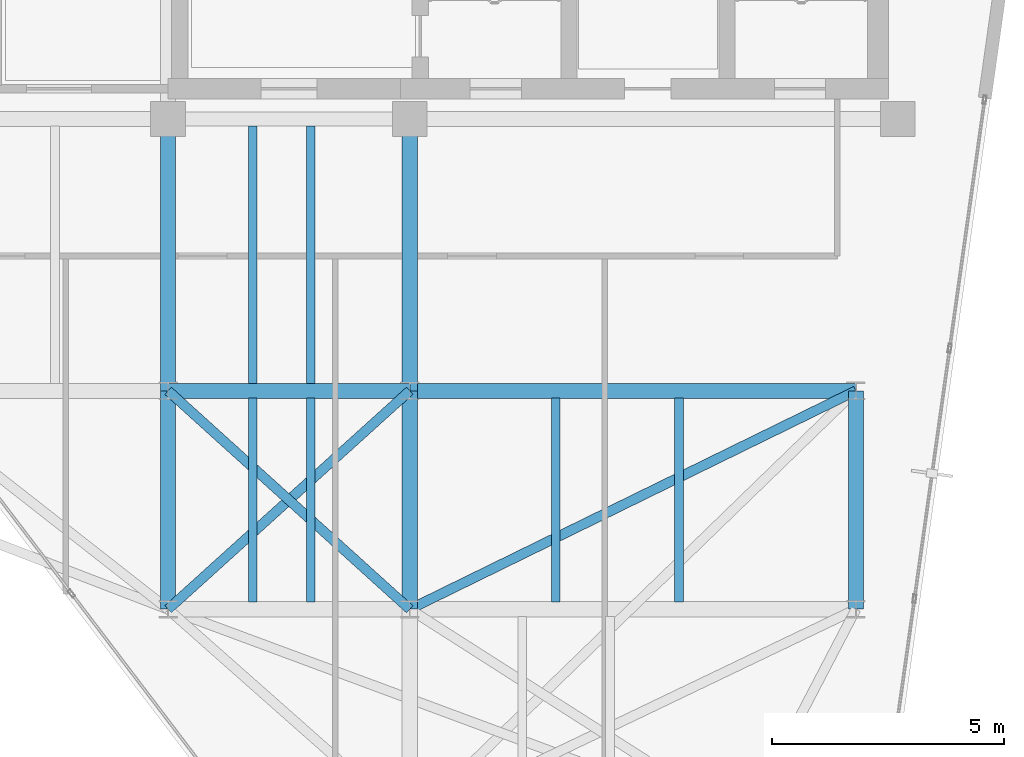
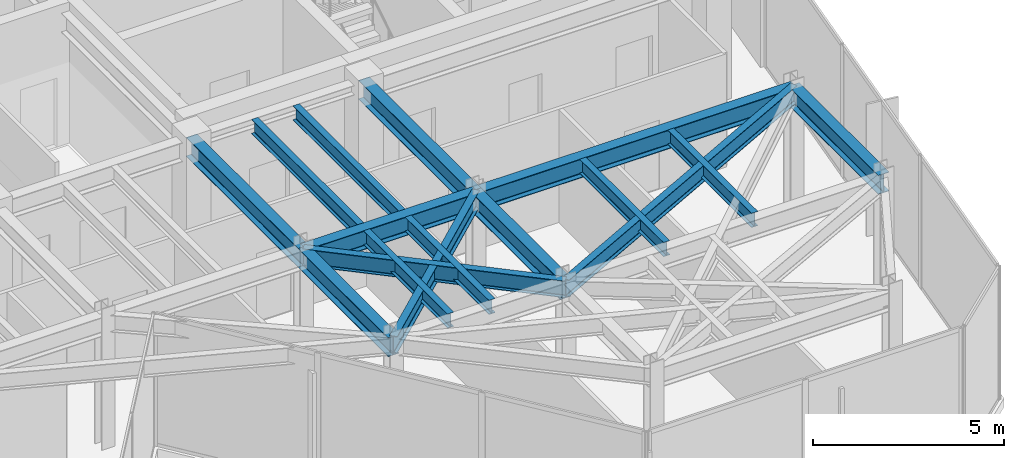
# One storey, part 9 of 17: 16 beams.
"""IFC4 building model written with IfcOpenShell, lengths in metres."""

from ifc_helpers import new_model, si_unit, direction, frame, origin, origin_2d, place, context, subcontext, project, spatial, i_section, extrude, material, material_profile, profile_set, type_object, element, save


model = new_model("IFC4")

# Units and contexts
model_context = context("Model", 3, precision=1e-05, world=origin(), true_north=direction((0.0, 1.0)))
body_context = subcontext(model_context, "Body", "Model", "MODEL_VIEW")
ifc_project = project(units=[si_unit("LENGTHUNIT", "METRE"), si_unit("AREAUNIT", "SQUARE_METRE"), si_unit("VOLUMEUNIT", "CUBIC_METRE"), si_unit("PLANEANGLEUNIT", "RADIAN"), si_unit("MASSUNIT", "GRAM", prefix="KILO")], contexts=[model_context])

# Site, building, storey
site_placement = place(None, origin())
site = spatial("IfcSite", under=ifc_project, at=site_placement, CompositionType="ELEMENT")
building_placement = place(site_placement, origin())
building = spatial("IfcBuilding", under=site, at=building_placement, Name="Kravanh Interchange Tower", CompositionType="ELEMENT")
storey_placement = place(building_placement, frame((0.0, 0.0, 311.10009765625)))
storey = spatial("IfcBuildingStorey", under=building, at=storey_placement, Name="L77", CompositionType="ELEMENT", Elevation=311.10009765625)

# Beams
ifc_material_1 = material(Name="Structural Steel S355", Category="steel")
ifc_material_profile_1 = material_profile(ifc_material_1, i_section(OverallWidth=0.323974609375, OverallDepth=0.611083984375, WebThickness=0.0126953125, FlangeThickness=0.01904296875, FilletRadius=0.02197265625, at=origin_2d()), Name="W24X104")
ifc_profile_set_1 = profile_set([ifc_material_profile_1], Name="Structural Steel S355")
beam_type_1 = type_object("IfcBeamType", Name="Floor Beam W24X104 Structural Steel S355", PredefinedType="BEAM", material=ifc_profile_set_1)
beam_1_placement = place(storey_placement, frame((50.800048828125, 31.5, 3.914306640625), z_axis=(0.0, -1.0, 0.0), x_axis=(1.0, 0.0, 0.0)))
element("IfcBeam", 1, at=beam_1_placement, inside=storey, type_object=beam_type_1, Name="L77 Primary Floor Girder 5", PredefinedType="BEAM", context=body_context, shape_type="SweptSolid", body=[
    extrude(i_section(OverallWidth=0.323974609375, OverallDepth=0.611083984375, WebThickness=0.0126953125, FlangeThickness=0.01904296875, FilletRadius=0.02197265625, at=origin_2d()), origin(), (0.0, 0.0, 1.0), 4.699951171875),
])
beam_2_placement = place(storey_placement, frame((50.800048828125, 31.5, 3.914306640625), z_axis=(1.0, 0.0, 0.0), x_axis=(0.0, 1.0, 0.0)))
element("IfcBeam", 2, at=beam_2_placement, inside=storey, type_object=beam_type_1, Name="L77 Primary Floor Girder 6", PredefinedType="BEAM", context=body_context, shape_type="SweptSolid", body=[
    extrude(i_section(OverallWidth=0.323974609375, OverallDepth=0.611083984375, WebThickness=0.0126953125, FlangeThickness=0.01904296875, FilletRadius=0.02197265625, at=origin_2d()), origin(), (0.0, 0.0, 1.0), 5.199951171875),
])
beam_3_placement = place(storey_placement, frame((50.800048828125, 31.5, 3.914306640625), z_axis=(0.0, 1.0, 0.0), x_axis=(-1.0, 0.0, 0.0)))
element("IfcBeam", 3, at=beam_3_placement, inside=storey, type_object=beam_type_1, Name="L77 Primary Floor Girder 7", PredefinedType="BEAM", context=body_context, shape_type="SweptSolid", body=[
    extrude(i_section(OverallWidth=0.323974609375, OverallDepth=0.611083984375, WebThickness=0.0126953125, FlangeThickness=0.01904296875, FilletRadius=0.02197265625, at=origin_2d()), origin(), (0.0, 0.0, 1.0), 5.85009765625),
])
beam_4_placement = place(storey_placement, frame((56.0, 31.5, 3.914306640625), z_axis=(0.0, -1.0, 0.0), x_axis=(1.0, 0.0, 0.0)))
element("IfcBeam", 4, at=beam_4_placement, inside=storey, type_object=beam_type_1, Name="L77 Primary Floor Girder 9", PredefinedType="BEAM", context=body_context, shape_type="SweptSolid", body=[
    extrude(i_section(OverallWidth=0.323974609375, OverallDepth=0.611083984375, WebThickness=0.0126953125, FlangeThickness=0.01904296875, FilletRadius=0.02197265625, at=origin_2d()), origin(), (0.0, 0.0, 1.0), 4.699951171875),
])
beam_5_placement = place(storey_placement, frame((56.0, 31.5, 3.914306640625), z_axis=(0.0, 1.0, 0.0), x_axis=(-1.0, 0.0, 0.0)))
element("IfcBeam", 5, at=beam_5_placement, inside=storey, type_object=beam_type_1, Name="L77 Primary Floor Girder 10", PredefinedType="BEAM", context=body_context, shape_type="SweptSolid", body=[
    extrude(i_section(OverallWidth=0.323974609375, OverallDepth=0.611083984375, WebThickness=0.0126953125, FlangeThickness=0.01904296875, FilletRadius=0.02197265625, at=origin_2d()), origin(), (0.0, 0.0, 1.0), 5.85009765625),
])
beam_6_placement = place(storey_placement, frame((56.0, 31.5, 3.914306640625), z_axis=(1.0, 0.0, 0.0), x_axis=(0.0, 1.0, 0.0)))
element("IfcBeam", 6, at=beam_6_placement, inside=storey, type_object=beam_type_1, Name="L77 Primary Floor Girder 12", PredefinedType="BEAM", context=body_context, shape_type="SweptSolid", body=[
    extrude(i_section(OverallWidth=0.323974609375, OverallDepth=0.611083984375, WebThickness=0.0126953125, FlangeThickness=0.01904296875, FilletRadius=0.02197265625, at=origin_2d()), origin(), (0.0, 0.0, 1.0), 9.60009765625),
])
beam_7_placement = place(storey_placement, frame((65.60009765625, 31.5, 3.914306640625), z_axis=(0.0, -1.0, 0.0), x_axis=(1.0, 0.0, 0.0)))
element("IfcBeam", 7, at=beam_7_placement, inside=storey, type_object=beam_type_1, Name="L77 Primary Floor Girder 13", PredefinedType="BEAM", context=body_context, shape_type="SweptSolid", body=[
    extrude(i_section(OverallWidth=0.323974609375, OverallDepth=0.611083984375, WebThickness=0.0126953125, FlangeThickness=0.01904296875, FilletRadius=0.02197265625, at=origin_2d()), origin(), (0.0, 0.0, 1.0), 4.699951171875),
])
ifc_material_2 = material(Name="Structural Steel S355", Category="steel")
ifc_material_profile_2 = material_profile(ifc_material_2, i_section(OverallWidth=0.18994140625, OverallDepth=0.45703125, WebThickness=0.009033203125, FlangeThickness=0.014404296875, FilletRadius=0.01806640625, at=origin_2d()), Name="W18X50")
ifc_profile_set_2 = profile_set([ifc_material_profile_2], Name="Structural Steel S355")
beam_type_2 = type_object("IfcBeamType", Name="Floor Joist W18X50 Structural Steel S355", PredefinedType="JOIST", material=ifc_profile_set_2)
for number, where, z_axis, x_axis, name in (
    (8, (52.6201171875, 26.95703125, 3.991455078125), (0.0, 1.0, 0.0), (-1.0, 0.0, 0.0), "L77 Secondary Floor Joist 3"),
    (9, (53.867919921875, 26.95703125, 3.991455078125), (0.0, 1.0, 0.0), (-1.0, 0.0, 0.0), "L77 Secondary Floor Joist 4"),
    (10, (59.139892578125, 26.95703125, 3.991455078125), (0.0, 1.0, 0.0), (-1.0, 0.0, 0.0), "L77 Secondary Floor Joist 5"),
    (11, (61.7958984375, 26.95703125, 3.991455078125), (0.0, 1.0, 0.0), (-1.0, 0.0, 0.0), "L77 Secondary Floor Joist 6"),
):
    element("IfcBeam", number, at=place(storey_placement, frame(where, z_axis=z_axis, x_axis=x_axis)), inside=storey, type_object=beam_type_2, Name=name, PredefinedType="JOIST", context=body_context, shape_type="SweptSolid", body=[
        extrude(i_section(OverallWidth=0.18994140625, OverallDepth=0.45703125, WebThickness=0.009033203125, FlangeThickness=0.014404296875, FilletRadius=0.01806640625, at=origin_2d()), origin(), (0.0, 0.0, 1.0), 4.385986328125),
    ])
for number, where, z_axis, x_axis, name in (
    (12, (52.6201171875, 31.656982421875, 3.991455078125), (0.0, 1.0, 0.0), (-1.0, 0.0, 0.0), "L77 Secondary Floor Joist 11"),
    (13, (53.867919921875, 31.656982421875, 3.991455078125), (0.0, 1.0, 0.0), (-1.0, 0.0, 0.0), "L77 Secondary Floor Joist 12"),
):
    element("IfcBeam", number, at=place(storey_placement, frame(where, z_axis=z_axis, x_axis=x_axis)), inside=storey, type_object=beam_type_2, Name=name, PredefinedType="JOIST", context=body_context, shape_type="SweptSolid", body=[
        extrude(i_section(OverallWidth=0.18994140625, OverallDepth=0.45703125, WebThickness=0.009033203125, FlangeThickness=0.014404296875, FilletRadius=0.01806640625, at=origin_2d()), origin(), (0.0, 0.0, 1.0), 5.54541015625),
    ])
ifc_material_3 = material(Name="Structural Steel S355", Category="steel")
ifc_material_profile_3 = material_profile(ifc_material_3, i_section(OverallWidth=0.2099609375, OverallDepth=0.537109375, WebThickness=0.010986328125, FlangeThickness=0.017333984375, FilletRadius=0.02001953125, at=origin_2d()), Name="W21X68")
ifc_profile_set_3 = profile_set([ifc_material_profile_3], Name="Structural Steel S355")
beam_type_3 = type_object("IfcBeamType", Name="Floor Spandrel W21X68 Structural Steel S355", PredefinedType="SPANDREL", material=ifc_profile_set_3)
for number, where, z_axis, x_axis, name in (
    (14, (50.800048828125, 31.5, 3.951416015625), (0.741874009795, -0.670539300557, 0.0), (0.670539300557, 0.741874009795, 0.0), "L77 Perimeter Spandrel 8"),
    (15, (56.0, 31.5, 3.951416015625), (-0.741874009795, -0.670539300557, 0.0), (0.670539300557, -0.741874009795, 0.0), "L77 Perimeter Spandrel 11"),
):
    element("IfcBeam", number, at=place(storey_placement, frame(where, z_axis=z_axis, x_axis=x_axis)), inside=storey, type_object=beam_type_3, Name=name, PredefinedType="SPANDREL", context=body_context, shape_type="SweptSolid", body=[
        extrude(i_section(OverallWidth=0.2099609375, OverallDepth=0.537109375, WebThickness=0.010986328125, FlangeThickness=0.017333984375, FilletRadius=0.02001953125, at=origin_2d()), origin(), (0.0, 0.0, 1.0), 7.00927734375),
    ])
beam_8_placement = place(storey_placement, frame((65.60009765625, 31.5, 3.951416015625), z_axis=(-0.898141688387, -0.439706160499, 0.0), x_axis=(0.439706160499, -0.898141688387, 0.0)))
element("IfcBeam", 16, at=beam_8_placement, inside=storey, type_object=beam_type_3, Name="L77 Perimeter Spandrel 15", PredefinedType="SPANDREL", context=body_context, shape_type="SweptSolid", body=[
    extrude(i_section(OverallWidth=0.2099609375, OverallDepth=0.537109375, WebThickness=0.010986328125, FlangeThickness=0.017333984375, FilletRadius=0.02001953125, at=origin_2d()), origin(), (0.0, 0.0, 1.0), 10.68896484375),
])

save(model, "model.ifc")
